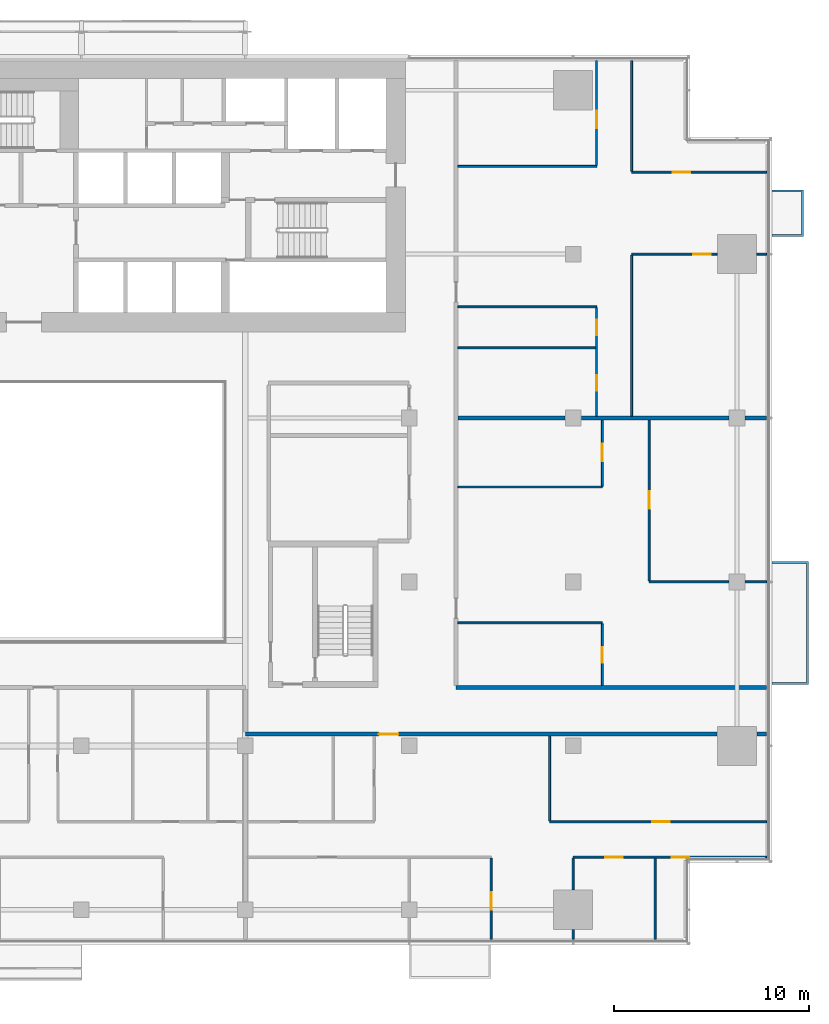
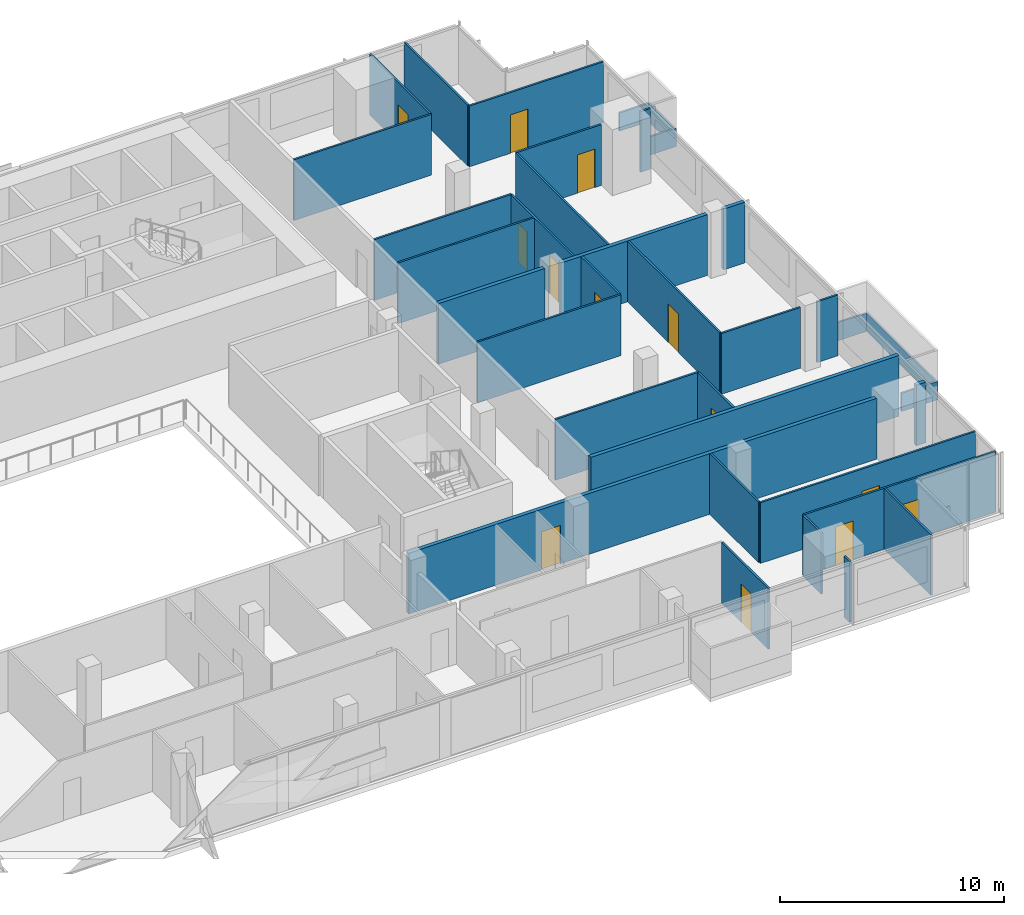
# One storey, part 23 of 26: 32 walls, 13 doors, 13 openings.
"""IFC4 building model written with IfcOpenShell, lengths in metres."""

from ifc_helpers import new_model, si_unit, direction, frame, frame_2d, origin, place, context, subcontext, project, spatial, polyline, rectangle, outline, extrude, material, layer, layer_set, type_object, element, fill, save


model = new_model("IFC4")

# Units and contexts
model_context = context("Model", 3, precision=1e-05, world=origin(), true_north=direction((0.0, 1.0)))
body_context = subcontext(model_context, "Body", "Model", "MODEL_VIEW")
ifc_project = project(units=[si_unit("LENGTHUNIT", "METRE"), si_unit("AREAUNIT", "SQUARE_METRE"), si_unit("VOLUMEUNIT", "CUBIC_METRE"), si_unit("PLANEANGLEUNIT", "RADIAN"), si_unit("MASSUNIT", "GRAM", prefix="KILO")], contexts=[model_context])

# Site, building, storey
site_placement = place(None, origin())
site = spatial("IfcSite", under=ifc_project, at=site_placement, CompositionType="ELEMENT")
building_placement = place(site_placement, origin())
building = spatial("IfcBuilding", under=site, at=building_placement, Name="Saffron Gate Tower", CompositionType="ELEMENT")
storey_placement = place(building_placement, frame((0.0, 0.0, 120.449951171875)))
storey = spatial("IfcBuildingStorey", under=building, at=storey_placement, Name="L28", CompositionType="ELEMENT", Elevation=120.449951171875)

# Wall, openings, doors
ifc_material_1 = material(Name="Plasterboard on steel studs", Category="steel")
ifc_layer_1 = layer(ifc_material_1, 0.10009765625)
ifc_layer_set_1 = layer_set([ifc_layer_1], Name="PW1 Partition 100")
wall_type_1 = type_object("IfcWallType", Name="PW1 Partition 100", PredefinedType="PARTITIONING", material=ifc_layer_set_1)
wall_1_placement = place(storey_placement, frame((126.919921875, 34.5, 0.0), z_axis=(0.0, 0.0, 1.0), x_axis=(-1.0, 0.0, 0.0)))
wall_1 = element("IfcWall", 1, at=wall_1_placement, inside=storey, type_object=wall_type_1, Name="Partition B3-4", PredefinedType="PARTITIONING", context=body_context, shape_type="SweptSolid", body=[
    extrude(rectangle(XDim=9.919921875, YDim=0.10009765625, at=frame_2d((4.9599609375, 0.0))), origin(), (0.0, 0.0, 1.0), 3.320068359375),
])
opening_1_placement = place(wall_1_placement, frame((3.96630859375, 0.0, 0.0)))
opening_1 = element("IfcOpeningElement", 2, at=opening_1_placement, cuts=wall_1, Name="Opening B3-20", PredefinedType="OPENING", context=body_context, shape_type="SweptSolid", body=[
    extrude(rectangle(XDim=0.89990234375, YDim=2.10009765625, at=frame_2d((0.449951171875, 1.050048828125))), frame((0.0, 0.06005859375, 0.0), z_axis=(0.0, -1.0, 0.0), x_axis=(1.0, 0.0, 0.0)), (0.0, 0.0, 1.0), 0.1201171875),
])
opening_2_placement = place(wall_1_placement, frame((7.3701171875, 0.0, 0.0)))
opening_2 = element("IfcOpeningElement", 3, at=opening_2_placement, cuts=wall_1, Name="Opening B3-19", PredefinedType="OPENING", context=body_context, shape_type="SweptSolid", body=[
    extrude(rectangle(XDim=0.89990234375, YDim=2.10009765625, at=frame_2d((0.449951171875, 1.050048828125))), frame((0.0, 0.06005859375, 0.0), z_axis=(0.0, -1.0, 0.0), x_axis=(1.0, 0.0, 0.0)), (0.0, 0.0, 1.0), 0.1201171875),
])
ifc_material_2 = material(Name="Timber door set", Category="wood")
door_type_1 = type_object("IfcDoorType", Name="RD1 Room door 900x2100", OperationType="NOTDEFINED", PredefinedType="DOOR", material=ifc_material_2)
door_1_placement = place(opening_1_placement, origin())
door_1 = element("IfcDoor", 4, at=door_1_placement, inside=storey, type_object=door_type_1, Name="Door B3-20", OperationType="SINGLE_SWING_RIGHT", OverallHeight=2.10009765625, OverallWidth=0.89990234375, PredefinedType="DOOR", context=body_context, shape_type="SweptSolid", body=[
    extrude(rectangle(XDim=0.89990234375, YDim=2.10009765625, at=frame_2d((0.449951171875, 1.050048828125))), frame((0.0, 0.02490234375, 0.0), z_axis=(0.0, -1.0, 0.0), x_axis=(1.0, 0.0, 0.0)), (0.0, 0.0, 1.0), 0.050048828125),
])
fill(opening_1, door_1)
door_2_placement = place(opening_2_placement, origin())
door_2 = element("IfcDoor", 5, at=door_2_placement, inside=storey, type_object=door_type_1, Name="Door B3-19", OperationType="SINGLE_SWING_RIGHT", OverallHeight=2.10009765625, OverallWidth=0.89990234375, PredefinedType="DOOR", context=body_context, shape_type="SweptSolid", body=[
    extrude(rectangle(XDim=0.89990234375, YDim=2.10009765625, at=frame_2d((0.449951171875, 1.050048828125))), frame((0.0, 0.02490234375, 0.0), z_axis=(0.0, -1.0, 0.0), x_axis=(1.0, 0.0, 0.0)), (0.0, 0.0, 1.0), 0.050048828125),
])
fill(opening_2, door_2)

# Wall, opening, door
wall_2_placement = place(storey_placement, frame((115.800048828125, 36.300048828125, 0.0), z_axis=(0.0, 0.0, 1.0), x_axis=(1.0, 0.0, 0.0)))
wall_2 = element("IfcWall", 6, at=wall_2_placement, inside=storey, type_object=wall_type_1, Name="Partition B3-8", PredefinedType="PARTITIONING", context=body_context, shape_type="SweptSolid", body=[
    extrude(rectangle(XDim=11.119873046875, YDim=0.10009765625, at=frame_2d((5.56005859375, 0.0))), origin(), (0.0, 0.0, 1.0), 3.320068359375),
])
opening_3_placement = place(wall_2_placement, frame((5.25, 0.0, 0.0)))
opening_3 = element("IfcOpeningElement", 7, at=opening_3_placement, cuts=wall_2, Name="Opening B3-21", PredefinedType="OPENING", context=body_context, shape_type="SweptSolid", body=[
    extrude(rectangle(XDim=0.89990234375, YDim=2.10009765625, at=frame_2d((0.449951171875, 1.050048828125))), frame((0.0, 0.06005859375, 0.0), z_axis=(0.0, -1.0, 0.0), x_axis=(1.0, 0.0, 0.0)), (0.0, 0.0, 1.0), 0.1201171875),
])
door_3_placement = place(opening_3_placement, origin())
door_3 = element("IfcDoor", 8, at=door_3_placement, inside=storey, type_object=door_type_1, Name="Door B3-21", OperationType="SINGLE_SWING_RIGHT", OverallHeight=2.10009765625, OverallWidth=0.89990234375, PredefinedType="DOOR", context=body_context, shape_type="SweptSolid", body=[
    extrude(rectangle(XDim=0.89990234375, YDim=2.10009765625, at=frame_2d((0.449951171875, 1.050048828125))), frame((0.0, 0.02490234375, 0.0), z_axis=(0.0, -1.0, 0.0), x_axis=(1.0, 0.0, 0.0)), (0.0, 0.0, 1.0), 0.050048828125),
])
fill(opening_3, door_3)

# Walls
wall_3_placement = place(storey_placement, frame((111.10009765625, 46.5, 0.0), z_axis=(0.0, 0.0, 1.0), x_axis=(1.0, 0.0, 0.0)))
element("IfcWall", 9, at=wall_3_placement, inside=storey, type_object=wall_type_1, Name="Partition B3-17", PredefinedType="PARTITIONING", context=body_context, shape_type="SweptSolid", body=[
    extrude(rectangle(XDim=7.39990234375, YDim=0.10009765625, at=frame_2d((3.699951171875, 0.0))), origin(), (0.0, 0.0, 1.0), 3.320068359375),
])
wall_4_placement = place(storey_placement, frame((120.89990234375, 48.60009765625, 0.0), z_axis=(0.0, 0.0, 1.0), x_axis=(1.0, 0.0, 0.0)))
element("IfcWall", 10, at=wall_4_placement, inside=storey, type_object=wall_type_1, Name="Partition B3-20", PredefinedType="PARTITIONING", context=body_context, shape_type="SweptSolid", body=[
    extrude(rectangle(XDim=4.080078125, YDim=0.10009765625, at=frame_2d((2.0400390625, 0.0))), origin(), (0.0, 0.0, 1.0), 3.320068359375),
])
wall_5_placement = place(storey_placement, frame((125.820068359375, 48.60009765625, 0.0), z_axis=(0.0, 0.0, 1.0), x_axis=(1.0, 0.0, 0.0)))
element("IfcWall", 11, at=wall_5_placement, inside=storey, type_object=wall_type_1, Name="Partition B3-21", PredefinedType="PARTITIONING", context=body_context, shape_type="SweptSolid", body=[
    extrude(rectangle(XDim=1.099853515625, YDim=0.10009765625, at=frame_2d((0.5498046875, 0.0))), origin(), (0.0, 0.0, 1.0), 3.320068359375),
])
wall_6_placement = place(storey_placement, frame((111.10009765625, 53.466796875, 0.0), z_axis=(0.0, 0.0, 1.0), x_axis=(1.0, 0.0, 0.0)))
element("IfcWall", 12, at=wall_6_placement, inside=storey, type_object=wall_type_1, Name="Partition B3-26", PredefinedType="PARTITIONING", context=body_context, shape_type="SweptSolid", body=[
    extrude(rectangle(XDim=7.39990234375, YDim=0.10009765625, at=frame_2d((3.699951171875, 0.0))), origin(), (0.0, 0.0, 1.0), 3.320068359375),
])
wall_7_placement = place(storey_placement, frame((111.10009765625, 60.60009765625, 0.0), z_axis=(0.0, 0.0, 1.0), x_axis=(1.0, 0.0, 0.0)))
element("IfcWall", 13, at=wall_7_placement, inside=storey, type_object=wall_type_1, Name="Partition B3-36", PredefinedType="PARTITIONING", context=body_context, shape_type="SweptSolid", body=[
    extrude(rectangle(XDim=7.0498046875, YDim=0.10009765625, at=frame_2d((3.52490234375, 0.0))), origin(), (0.0, 0.0, 1.0), 3.320068359375),
])
wall_8_placement = place(storey_placement, frame((111.10009765625, 62.699951171875, 0.0), z_axis=(0.0, 0.0, 1.0), x_axis=(1.0, 0.0, 0.0)))
element("IfcWall", 14, at=wall_8_placement, inside=storey, type_object=wall_type_1, Name="Partition B3-37", PredefinedType="PARTITIONING", context=body_context, shape_type="SweptSolid", body=[
    extrude(rectangle(XDim=7.099853515625, YDim=0.10009765625, at=frame_2d((3.5498046875, 0.0))), origin(), (0.0, 0.0, 1.0), 3.320068359375),
])

# Wall, opening, door
wall_9_placement = place(storey_placement, frame((124.3798828125, 65.39990234375, 0.0), z_axis=(0.0, 0.0, 1.0), x_axis=(-1.0, 0.0, 0.0)))
wall_9 = element("IfcWall", 15, at=wall_9_placement, inside=storey, type_object=wall_type_1, Name="Partition B3-41", PredefinedType="PARTITIONING", context=body_context, shape_type="SweptSolid", body=[
    extrude(rectangle(XDim=4.3798828125, YDim=0.10009765625, at=frame_2d((2.18994140625, 0.0))), origin(), (0.0, 0.0, 1.0), 3.320068359375),
])
opening_4_placement = place(wall_9_placement, frame((0.330078125, 0.0, 0.0)))
opening_4 = element("IfcOpeningElement", 16, at=opening_4_placement, cuts=wall_9, Name="Opening B3-28", PredefinedType="OPENING", context=body_context, shape_type="SweptSolid", body=[
    extrude(rectangle(XDim=0.89990234375, YDim=2.10009765625, at=frame_2d((0.449951171875, 1.050048828125))), frame((0.0, 0.06005859375, 0.0), z_axis=(0.0, -1.0, 0.0), x_axis=(1.0, 0.0, 0.0)), (0.0, 0.0, 1.0), 0.1201171875),
])
door_4_placement = place(opening_4_placement, origin())
door_4 = element("IfcDoor", 17, at=door_4_placement, inside=storey, type_object=door_type_1, Name="Door B3-28", OperationType="SINGLE_SWING_LEFT", OverallHeight=2.10009765625, OverallWidth=0.89990234375, PredefinedType="DOOR", context=body_context, shape_type="SweptSolid", body=[
    extrude(rectangle(XDim=0.89990234375, YDim=2.10009765625, at=frame_2d((0.449951171875, 1.050048828125))), frame((0.0, 0.02490234375, 0.0), z_axis=(0.0, -1.0, 0.0), x_axis=(1.0, 0.0, 0.0)), (0.0, 0.0, 1.0), 0.050048828125),
])
fill(opening_4, door_4)

# Wall
wall_10_placement = place(storey_placement, frame((126.419921875, 65.39990234375, 0.0), z_axis=(0.0, 0.0, 1.0), x_axis=(1.0, 0.0, 0.0)))
element("IfcWall", 18, at=wall_10_placement, inside=storey, type_object=wall_type_1, Name="Partition B3-42", PredefinedType="PARTITIONING", context=body_context, shape_type="SweptSolid", body=[
    extrude(rectangle(XDim=0.5, YDim=0.10009765625, at=frame_2d((0.25, 0.0))), origin(), (0.0, 0.0, 1.0), 3.320068359375),
])

# Wall, opening, door
wall_11_placement = place(storey_placement, frame((120.0, 69.60009765625, 0.0), z_axis=(0.0, 0.0, 1.0), x_axis=(1.0, 0.0, 0.0)))
wall_11 = element("IfcWall", 19, at=wall_11_placement, inside=storey, type_object=wall_type_1, Name="Partition B3-45", PredefinedType="PARTITIONING", context=body_context, shape_type="SweptSolid", body=[
    extrude(rectangle(XDim=6.919921875, YDim=0.10009765625, at=frame_2d((3.4599609375, 0.0))), origin(), (0.0, 0.0, 1.0), 3.320068359375),
])
opening_5_placement = place(wall_11_placement, frame((2.11474609375, 0.0, 0.0)))
opening_5 = element("IfcOpeningElement", 20, at=opening_5_placement, cuts=wall_11, Name="Opening B3-29", PredefinedType="OPENING", context=body_context, shape_type="SweptSolid", body=[
    extrude(rectangle(XDim=0.89990234375, YDim=2.10009765625, at=frame_2d((0.449951171875, 1.050048828125))), frame((0.0, 0.06005859375, 0.0), z_axis=(0.0, -1.0, 0.0), x_axis=(1.0, 0.0, 0.0)), (0.0, 0.0, 1.0), 0.1201171875),
])
door_5_placement = place(opening_5_placement, origin())
door_5 = element("IfcDoor", 21, at=door_5_placement, inside=storey, type_object=door_type_1, Name="Door B3-29", OperationType="SINGLE_SWING_LEFT", OverallHeight=2.10009765625, OverallWidth=0.89990234375, PredefinedType="DOOR", context=body_context, shape_type="SweptSolid", body=[
    extrude(rectangle(XDim=0.89990234375, YDim=2.10009765625, at=frame_2d((0.449951171875, 1.050048828125))), frame((0.0, 0.02490234375, 0.0), z_axis=(0.0, -1.0, 0.0), x_axis=(1.0, 0.0, 0.0)), (0.0, 0.0, 1.0), 0.050048828125),
])
fill(opening_5, door_5)

# Wall
wall_12_placement = place(storey_placement, frame((111.10009765625, 69.894287109375, 0.0), z_axis=(0.0, 0.0, 1.0), x_axis=(1.0, 0.0, 0.0)))
element("IfcWall", 22, at=wall_12_placement, inside=storey, type_object=wall_type_1, Name="Partition B3-46", PredefinedType="PARTITIONING", context=body_context, shape_type="SweptSolid", body=[
    extrude(rectangle(XDim=7.099853515625, YDim=0.10009765625, at=frame_2d((3.5498046875, 0.0))), origin(), (0.0, 0.0, 1.0), 3.320068359375),
])

# Wall, opening, door
wall_13_placement = place(storey_placement, frame((112.800048828125, 30.280029296875, 0.0), z_axis=(0.0, 0.0, 1.0), x_axis=(0.0, 1.0, 0.0)))
wall_13 = element("IfcWall", 23, at=wall_13_placement, inside=storey, type_object=wall_type_1, Name="Partition B3-86", PredefinedType="PARTITIONING", context=body_context, shape_type="SweptSolid", body=[
    extrude(rectangle(XDim=4.169921875, YDim=0.10009765625, at=frame_2d((2.0849609375, 0.0))), origin(), (0.0, 0.0, 1.0), 3.320068359375),
])
opening_6_placement = place(wall_13_placement, frame((1.52001953125, 0.0, 0.0)))
opening_6 = element("IfcOpeningElement", 24, at=opening_6_placement, cuts=wall_13, Name="Opening B3-18", PredefinedType="OPENING", context=body_context, shape_type="SweptSolid", body=[
    extrude(rectangle(XDim=0.89990234375, YDim=2.10009765625, at=frame_2d((0.449951171875, 1.050048828125))), frame((0.0, 0.06005859375, 0.0), z_axis=(0.0, -1.0, 0.0), x_axis=(1.0, 0.0, 0.0)), (0.0, 0.0, 1.0), 0.1201171875),
])
door_6_placement = place(opening_6_placement, origin())
door_6 = element("IfcDoor", 25, at=door_6_placement, inside=storey, type_object=door_type_1, Name="Door B3-18", OperationType="SINGLE_SWING_LEFT", OverallHeight=2.10009765625, OverallWidth=0.89990234375, PredefinedType="DOOR", context=body_context, shape_type="SweptSolid", body=[
    extrude(rectangle(XDim=0.89990234375, YDim=2.10009765625, at=frame_2d((0.449951171875, 1.050048828125))), frame((0.0, 0.02490234375, 0.0), z_axis=(0.0, -1.0, 0.0), x_axis=(1.0, 0.0, 0.0)), (0.0, 0.0, 1.0), 0.050048828125),
])
fill(opening_6, door_6)

# Walls
wall_14_placement = place(storey_placement, frame((115.800048828125, 40.699951171875, 0.0), z_axis=(0.0, 0.0, 1.0), x_axis=(0.0, -1.0, 0.0)))
element("IfcWall", 26, at=wall_14_placement, inside=storey, type_object=wall_type_1, Name="Partition B3-87", PredefinedType="PARTITIONING", context=body_context, shape_type="SweptSolid", body=[
    extrude(rectangle(XDim=4.349853515625, YDim=0.10009765625, at=frame_2d((2.1748046875, 0.0))), origin(), (0.0, 0.0, 1.0), 3.320068359375),
])
wall_15_placement = place(storey_placement, frame((117.0, 30.780029296875, 0.0), z_axis=(0.0, 0.0, 1.0), x_axis=(0.0, -1.0, 0.0)))
element("IfcWall", 27, at=wall_15_placement, inside=storey, type_object=wall_type_1, Name="Partition B3-88", PredefinedType="PARTITIONING", context=body_context, shape_type="SweptSolid", body=[
    extrude(rectangle(XDim=0.5, YDim=0.10009765625, at=frame_2d((0.25, 0.0))), origin(), (0.0, 0.0, 1.0), 3.320068359375),
])
wall_16_placement = place(storey_placement, frame((117.0, 34.449951171875, 0.0), z_axis=(0.0, 0.0, 1.0), x_axis=(0.0, -1.0, 0.0)))
element("IfcWall", 28, at=wall_16_placement, inside=storey, type_object=wall_type_1, Name="Partition B3-89", PredefinedType="PARTITIONING", context=body_context, shape_type="SweptSolid", body=[
    extrude(rectangle(XDim=1.6298828125, YDim=0.10009765625, at=frame_2d((0.81494140625, 0.0))), origin(), (0.0, 0.0, 1.0), 3.320068359375),
])

# Wall, openings, doors
wall_17_placement = place(storey_placement, frame((118.199951171875, 57.10009765625, 0.0), z_axis=(0.0, 0.0, 1.0), x_axis=(0.0, 1.0, 0.0)))
wall_17 = element("IfcWall", 29, at=wall_17_placement, inside=storey, type_object=wall_type_1, Name="Partition B3-90", PredefinedType="PARTITIONING", context=body_context, shape_type="SweptSolid", body=[
    extrude(rectangle(XDim=5.5498046875, YDim=0.10009765625, at=frame_2d((2.77490234375, 0.0))), origin(), (0.0, 0.0, 1.0), 3.320068359375),
])
opening_7_placement = place(wall_17_placement, frame((1.300048828125, 0.0, 0.0)))
opening_7 = element("IfcOpeningElement", 30, at=opening_7_placement, cuts=wall_17, Name="Opening B3-42", PredefinedType="OPENING", context=body_context, shape_type="SweptSolid", body=[
    extrude(rectangle(XDim=0.800048828125, YDim=2.10009765625, at=frame_2d((0.39990234375, 1.050048828125))), frame((0.0, 0.06005859375, 0.0), z_axis=(0.0, -1.0, 0.0), x_axis=(1.0, 0.0, 0.0)), (0.0, 0.0, 1.0), 0.1201171875),
])
opening_8_placement = place(wall_17_placement, frame((4.14990234375, 0.0, 0.0)))
opening_8 = element("IfcOpeningElement", 31, at=opening_8_placement, cuts=wall_17, Name="Opening B3-43", PredefinedType="OPENING", context=body_context, shape_type="SweptSolid", body=[
    extrude(rectangle(XDim=0.800048828125, YDim=2.10009765625, at=frame_2d((0.39990234375, 1.050048828125))), frame((0.0, 0.06005859375, 0.0), z_axis=(0.0, -1.0, 0.0), x_axis=(1.0, 0.0, 0.0)), (0.0, 0.0, 1.0), 0.1201171875),
])
door_type_2 = type_object("IfcDoorType", Name="RD2 Bathroom door 800x2100", OperationType="NOTDEFINED", PredefinedType="DOOR", material=ifc_material_2)
door_7_placement = place(opening_7_placement, origin())
door_7 = element("IfcDoor", 32, at=door_7_placement, inside=storey, type_object=door_type_2, Name="Door B3-42", OperationType="SINGLE_SWING_LEFT", OverallHeight=2.10009765625, OverallWidth=0.800048828125, PredefinedType="DOOR", context=body_context, shape_type="SweptSolid", body=[
    extrude(rectangle(XDim=0.800048828125, YDim=2.10009765625, at=frame_2d((0.39990234375, 1.050048828125))), frame((0.0, 0.02490234375, 0.0), z_axis=(0.0, -1.0, 0.0), x_axis=(1.0, 0.0, 0.0)), (0.0, 0.0, 1.0), 0.050048828125),
])
fill(opening_7, door_7)
door_8_placement = place(opening_8_placement, origin())
door_8 = element("IfcDoor", 33, at=door_8_placement, inside=storey, type_object=door_type_2, Name="Door B3-43", OperationType="SINGLE_SWING_RIGHT", OverallHeight=2.10009765625, OverallWidth=0.800048828125, PredefinedType="DOOR", context=body_context, shape_type="SweptSolid", body=[
    extrude(rectangle(XDim=0.800048828125, YDim=2.10009765625, at=frame_2d((0.39990234375, 1.050048828125))), frame((0.0, 0.02490234375, 0.0), z_axis=(0.0, -1.0, 0.0), x_axis=(1.0, 0.0, 0.0)), (0.0, 0.0, 1.0), 0.050048828125),
])
fill(opening_8, door_8)

# Wall, opening, door
wall_18_placement = place(storey_placement, frame((118.199951171875, 69.9443359375, 0.0), z_axis=(0.0, 0.0, 1.0), x_axis=(0.0, 1.0, 0.0)))
wall_18 = element("IfcWall", 34, at=wall_18_placement, inside=storey, type_object=wall_type_1, Name="Partition B3-91", PredefinedType="PARTITIONING", context=body_context, shape_type="SweptSolid", body=[
    extrude(rectangle(XDim=5.375732421875, YDim=0.10009765625, at=frame_2d((2.68798828125, 0.0))), origin(), (0.0, 0.0, 1.0), 3.320068359375),
])
opening_9_placement = place(wall_18_placement, frame((1.90283203125, 0.0, 0.0)))
opening_9 = element("IfcOpeningElement", 35, at=opening_9_placement, cuts=wall_18, Name="Opening B3-30", PredefinedType="OPENING", context=body_context, shape_type="SweptSolid", body=[
    extrude(rectangle(XDim=0.89990234375, YDim=2.10009765625, at=frame_2d((0.449951171875, 1.050048828125))), frame((0.0, 0.06005859375, 0.0), z_axis=(0.0, -1.0, 0.0), x_axis=(1.0, 0.0, 0.0)), (0.0, 0.0, 1.0), 0.1201171875),
])
door_9_placement = place(opening_9_placement, origin())
door_9 = element("IfcDoor", 36, at=door_9_placement, inside=storey, type_object=door_type_1, Name="Door B3-30", OperationType="SINGLE_SWING_LEFT", OverallHeight=2.10009765625, OverallWidth=0.89990234375, PredefinedType="DOOR", context=body_context, shape_type="SweptSolid", body=[
    extrude(rectangle(XDim=0.89990234375, YDim=2.10009765625, at=frame_2d((0.449951171875, 1.050048828125))), frame((0.0, 0.02490234375, 0.0), z_axis=(0.0, -1.0, 0.0), x_axis=(1.0, 0.0, 0.0)), (0.0, 0.0, 1.0), 0.050048828125),
])
fill(opening_9, door_9)

wall_19_placement = place(storey_placement, frame((118.5, 43.300048828125, 0.0), z_axis=(0.0, 0.0, 1.0), x_axis=(0.0, 1.0, 0.0)))
wall_19 = element("IfcWall", 37, at=wall_19_placement, inside=storey, type_object=wall_type_1, Name="Partition B3-92", PredefinedType="PARTITIONING", context=body_context, shape_type="SweptSolid", body=[
    extrude(rectangle(XDim=3.14990234375, YDim=0.10009765625, at=frame_2d((1.574951171875, 0.0))), origin(), (0.0, 0.0, 1.0), 3.320068359375),
])
opening_10_placement = place(wall_19_placement, frame((1.14990234375, 0.0, 0.0)))
opening_10 = element("IfcOpeningElement", 38, at=opening_10_placement, cuts=wall_19, Name="Opening B3-41", PredefinedType="OPENING", context=body_context, shape_type="SweptSolid", body=[
    extrude(rectangle(XDim=0.800048828125, YDim=2.10009765625, at=frame_2d((0.39990234375, 1.050048828125))), frame((0.0, 0.06005859375, 0.0), z_axis=(0.0, -1.0, 0.0), x_axis=(1.0, 0.0, 0.0)), (0.0, 0.0, 1.0), 0.1201171875),
])
door_10_placement = place(opening_10_placement, origin())
door_10 = element("IfcDoor", 39, at=door_10_placement, inside=storey, type_object=door_type_2, Name="Door B3-41", OperationType="SINGLE_SWING_LEFT", OverallHeight=2.10009765625, OverallWidth=0.800048828125, PredefinedType="DOOR", context=body_context, shape_type="SweptSolid", body=[
    extrude(rectangle(XDim=0.800048828125, YDim=2.10009765625, at=frame_2d((0.39990234375, 1.050048828125))), frame((0.0, 0.02490234375, 0.0), z_axis=(0.0, -1.0, 0.0), x_axis=(1.0, 0.0, 0.0)), (0.0, 0.0, 1.0), 0.050048828125),
])
fill(opening_10, door_10)

wall_20_placement = place(storey_placement, frame((118.5, 53.5166015625, 0.0), z_axis=(0.0, 0.0, 1.0), x_axis=(0.0, 1.0, 0.0)))
wall_20 = element("IfcWall", 40, at=wall_20_placement, inside=storey, type_object=wall_type_1, Name="Partition B3-93", PredefinedType="PARTITIONING", context=body_context, shape_type="SweptSolid", body=[
    extrude(rectangle(XDim=3.38330078125, YDim=0.10009765625, at=frame_2d((1.691650390625, 0.0))), origin(), (0.0, 0.0, 1.0), 3.320068359375),
])
opening_11_placement = place(wall_20_placement, frame((1.2666015625, 0.0, 0.0)))
opening_11 = element("IfcOpeningElement", 41, at=opening_11_placement, cuts=wall_20, Name="Opening B3-27", PredefinedType="OPENING", context=body_context, shape_type="SweptSolid", body=[
    extrude(rectangle(XDim=0.89990234375, YDim=2.10009765625, at=frame_2d((0.449951171875, 1.050048828125))), frame((0.0, 0.06005859375, 0.0), z_axis=(0.0, -1.0, 0.0), x_axis=(1.0, 0.0, 0.0)), (0.0, 0.0, 1.0), 0.1201171875),
])
door_11_placement = place(opening_11_placement, origin())
door_11 = element("IfcDoor", 42, at=door_11_placement, inside=storey, type_object=door_type_1, Name="Door B3-27", OperationType="SINGLE_SWING_RIGHT", OverallHeight=2.10009765625, OverallWidth=0.89990234375, PredefinedType="DOOR", context=body_context, shape_type="SweptSolid", body=[
    extrude(rectangle(XDim=0.89990234375, YDim=2.10009765625, at=frame_2d((0.449951171875, 1.050048828125))), frame((0.0, 0.02490234375, 0.0), z_axis=(0.0, -1.0, 0.0), x_axis=(1.0, 0.0, 0.0)), (0.0, 0.0, 1.0), 0.050048828125),
])
fill(opening_11, door_11)

# Walls
wall_21_placement = place(storey_placement, frame((120.0, 65.35009765625, 0.0), z_axis=(0.0, 0.0, 1.0), x_axis=(0.0, -1.0, 0.0)))
element("IfcWall", 43, at=wall_21_placement, inside=storey, type_object=wall_type_1, Name="Partition B3-94", PredefinedType="PARTITIONING", context=body_context, shape_type="SweptSolid", body=[
    extrude(rectangle(XDim=8.25, YDim=0.10009765625, at=frame_2d((4.125, 0.0))), origin(), (0.0, 0.0, 1.0), 3.320068359375),
])
wall_22_placement = place(storey_placement, frame((120.0, 75.320068359375, 0.0), z_axis=(0.0, 0.0, 1.0), x_axis=(0.0, -1.0, 0.0)))
element("IfcWall", 44, at=wall_22_placement, inside=storey, type_object=wall_type_1, Name="Partition B3-95", PredefinedType="PARTITIONING", context=body_context, shape_type="SweptSolid", body=[
    extrude(rectangle(XDim=5.670166015625, YDim=0.10009765625, at=frame_2d((2.8349609375, 0.0))), origin(), (0.0, 0.0, 1.0), 3.320068359375),
])

# Wall, opening, door
wall_23_placement = place(storey_placement, frame((120.89990234375, 56.89990234375, 0.0), z_axis=(0.0, 0.0, 1.0), x_axis=(0.0, -1.0, 0.0)))
wall_23 = element("IfcWall", 45, at=wall_23_placement, inside=storey, type_object=wall_type_1, Name="Partition B3-96", PredefinedType="PARTITIONING", context=body_context, shape_type="SweptSolid", body=[
    extrude(rectangle(XDim=8.25, YDim=0.10009765625, at=frame_2d((4.125, 0.0))), origin(), (0.0, 0.0, 1.0), 3.320068359375),
])
opening_12_placement = place(wall_23_placement, frame((3.64990234375, 0.0, 0.0)))
opening_12 = element("IfcOpeningElement", 46, at=opening_12_placement, cuts=wall_23, Name="Opening B3-26", PredefinedType="OPENING", context=body_context, shape_type="SweptSolid", body=[
    extrude(rectangle(XDim=0.89990234375, YDim=2.10009765625, at=frame_2d((0.449951171875, 1.050048828125))), frame((0.0, 0.06005859375, 0.0), z_axis=(0.0, -1.0, 0.0), x_axis=(1.0, 0.0, 0.0)), (0.0, 0.0, 1.0), 0.1201171875),
])
door_12_placement = place(opening_12_placement, origin())
door_12 = element("IfcDoor", 47, at=door_12_placement, inside=storey, type_object=door_type_1, Name="Door B3-26", OperationType="SINGLE_SWING_LEFT", OverallHeight=2.10009765625, OverallWidth=0.89990234375, PredefinedType="DOOR", context=body_context, shape_type="SweptSolid", body=[
    extrude(rectangle(XDim=0.89990234375, YDim=2.10009765625, at=frame_2d((0.449951171875, 1.050048828125))), frame((0.0, 0.02490234375, 0.0), z_axis=(0.0, -1.0, 0.0), x_axis=(1.0, 0.0, 0.0)), (0.0, 0.0, 1.0), 0.050048828125),
])
fill(opening_12, door_12)

# Walls
wall_24_placement = place(storey_placement, frame((121.199951171875, 34.449951171875, 0.0), z_axis=(0.0, 0.0, 1.0), x_axis=(0.0, -1.0, 0.0)))
element("IfcWall", 48, at=wall_24_placement, inside=storey, type_object=wall_type_1, Name="Partition B3-97", PredefinedType="PARTITIONING", context=body_context, shape_type="SweptSolid", body=[
    extrude(rectangle(XDim=4.169921875, YDim=0.10009765625, at=frame_2d((2.0849609375, 0.0))), origin(), (0.0, 0.0, 1.0), 3.320068359375),
])
ifc_material_3 = material(Name="Clay brick masonry, rendered", Category="masonry")
ifc_layer_2 = layer(ifc_material_3, 0.199951171875)
ifc_layer_set_2 = layer_set([ifc_layer_2], Name="PW2 Demising wall 200")
wall_type_2 = type_object("IfcWallType", Name="PW2 Demising wall 200", PredefinedType="PARTITIONING", material=ifc_layer_set_2)
wall_25_placement = place(storey_placement, frame((111.10009765625, 57.0, 0.0), z_axis=(0.0, 0.0, 1.0), x_axis=(1.0, 0.0, 0.0)))
element("IfcWall", 49, at=wall_25_placement, inside=storey, type_object=wall_type_2, Name="Wall B3-29", PredefinedType="PARTITIONING", context=body_context, shape_type="SweptSolid", body=[
    extrude(rectangle(XDim=5.47998046875, YDim=0.199951171875, at=frame_2d((2.739990234375, 0.0))), origin(), (0.0, 0.0, 1.0), 3.320068359375),
])
wall_26_placement = place(storey_placement, frame((117.419921875, 57.0, 0.0), z_axis=(0.0, 0.0, 1.0), x_axis=(1.0, 0.0, 0.0)))
element("IfcWall", 50, at=wall_26_placement, inside=storey, type_object=wall_type_2, Name="Wall B3-30", PredefinedType="PARTITIONING", context=body_context, shape_type="SweptSolid", body=[
    extrude(rectangle(XDim=7.56005859375, YDim=0.199951171875, at=frame_2d((3.780029296875, 0.0))), origin(), (0.0, 0.0, 1.0), 3.320068359375),
])
wall_27_placement = place(storey_placement, frame((125.820068359375, 57.0, 0.0), z_axis=(0.0, 0.0, 1.0), x_axis=(1.0, 0.0, 0.0)))
element("IfcWall", 51, at=wall_27_placement, inside=storey, type_object=wall_type_2, Name="Wall B3-31", PredefinedType="PARTITIONING", context=body_context, shape_type="SweptSolid", body=[
    extrude(rectangle(XDim=1.099853515625, YDim=0.199951171875, at=frame_2d((0.5498046875, 0.0))), origin(), (0.0, 0.0, 1.0), 3.320068359375),
])

# Wall, opening, door
ifc_layer_3 = layer(ifc_material_3, 0.199951171875)
ifc_layer_set_3 = layer_set([ifc_layer_3], Name="PW3 Corridor wall 200")
wall_type_3 = type_object("IfcWallType", Name="PW3 Corridor wall 200", PredefinedType="PARTITIONING", material=ifc_layer_set_3)
wall_28_placement = place(storey_placement, frame((124.3798828125, 40.800048828125, 0.0), z_axis=(0.0, 0.0, 1.0), x_axis=(-1.0, 0.0, 0.0)))
wall_28 = element("IfcWall", 52, at=wall_28_placement, inside=storey, type_object=wall_type_3, Name="Wall B3-11", PredefinedType="PARTITIONING", context=body_context, shape_type="SweptSolid", body=[
    extrude(rectangle(XDim=24.179931640625, YDim=0.199951171875, at=frame_2d((12.08984375, 0.0))), origin(), (0.0, 0.0, 1.0), 3.320068359375),
])
opening_13_placement = place(wall_28_placement, frame((16.330078125, 0.0, 0.0)))
opening_13 = element("IfcOpeningElement", 53, at=opening_13_placement, cuts=wall_28, Name="Opening B3-3", PredefinedType="OPENING", context=body_context, shape_type="SweptSolid", body=[
    extrude(rectangle(XDim=1.0, YDim=2.10009765625, at=frame_2d((0.5, 1.050048828125))), frame((0.0, 0.10986328125, 0.0), z_axis=(0.0, -1.0, 0.0), x_axis=(1.0, 0.0, 0.0)), (0.0, 0.0, 1.0), 0.219970703125),
])
ifc_material_4 = material(Name="Timber fire door set", Category="wood")
door_type_3 = type_object("IfcDoorType", Name="FD1 Flat entry door 1000x2100", OperationType="NOTDEFINED", PredefinedType="DOOR", material=ifc_material_4)
door_13_placement = place(opening_13_placement, origin())
door_13 = element("IfcDoor", 54, at=door_13_placement, inside=storey, type_object=door_type_3, Name="Door B3-3", OperationType="SINGLE_SWING_RIGHT", OverallHeight=2.10009765625, OverallWidth=1.0, PredefinedType="DOOR", context=body_context, shape_type="SweptSolid", body=[
    extrude(rectangle(XDim=1.0, YDim=2.10009765625, at=frame_2d((0.5, 1.050048828125))), frame((0.0, 0.02490234375, 0.0), z_axis=(0.0, -1.0, 0.0), x_axis=(1.0, 0.0, 0.0)), (0.0, 0.0, 1.0), 0.050048828125),
])
fill(opening_13, door_13)

# Walls
wall_29_placement = place(storey_placement, frame((126.419921875, 40.800048828125, 0.0), z_axis=(0.0, 0.0, 1.0), x_axis=(1.0, 0.0, 0.0)))
element("IfcWall", 55, at=wall_29_placement, inside=storey, type_object=wall_type_3, Name="Wall B3-12", PredefinedType="PARTITIONING", context=body_context, shape_type="SweptSolid", body=[
    extrude(rectangle(XDim=0.5, YDim=0.199951171875, at=frame_2d((0.25, 0.0))), origin(), (0.0, 0.0, 1.0), 3.320068359375),
])
wall_30_placement = place(storey_placement, frame((111.0, 43.199951171875, 0.0), z_axis=(0.0, 0.0, 1.0), x_axis=(1.0, 0.0, 0.0)))
element("IfcWall", 56, at=wall_30_placement, inside=storey, type_object=wall_type_3, Name="Wall B3-15", PredefinedType="PARTITIONING", context=body_context, shape_type="SweptSolid", body=[
    extrude(rectangle(XDim=15.919921875, YDim=0.199951171875, at=frame_2d((7.9599609375, 0.0))), origin(), (0.0, 0.0, 1.0), 3.320068359375),
])
ifc_material_5 = material(Name="Rendered insulated panel, white")
ifc_layer_4 = layer(ifc_material_5, 0.10009765625)
ifc_layer_set_4 = layer_set([ifc_layer_4], Name="WB3 box parapet white")
wall_type_4 = type_object("IfcWallType", Name="WB3 box parapet white", PredefinedType="SOLIDWALL", material=ifc_layer_set_4)
wall_31_placement = place(storey_placement, origin())
element("IfcWall", 57, at=wall_31_placement, inside=storey, type_object=wall_type_4, Name="WINDOW BOX parapet", PredefinedType="SOLIDWALL", context=body_context, shape_type="SweptSolid", body=[
    extrude(outline(polyline([(127.199951171875, 43.35009765625), (127.199951171875, 43.449951171875), (128.967041015625, 43.449951171875), (128.967041015625, 49.550048828125), (127.199951171875, 49.550048828125), (127.199951171875, 49.64990234375), (129.06689453125, 49.64990234375), (129.06689453125, 43.35009765625), (127.199951171875, 43.35009765625)])), origin(), (0.0, 0.0, 1.0), 1.0),
])
wall_32_placement = place(storey_placement, origin())
element("IfcWall", 58, at=wall_32_placement, inside=storey, type_object=wall_type_4, Name="WINDOW BOX parapet", PredefinedType="SOLIDWALL", context=body_context, shape_type="SweptSolid", body=[
    extrude(outline(polyline([(127.199951171875, 66.300048828125), (127.199951171875, 66.39990234375), (128.699951171875, 66.39990234375), (128.699951171875, 68.60009765625), (127.199951171875, 68.60009765625), (127.199951171875, 68.699951171875), (128.800048828125, 68.699951171875), (128.800048828125, 66.300048828125), (127.199951171875, 66.300048828125)])), origin(), (0.0, 0.0, 1.0), 1.0),
])

save(model, "model.ifc")
